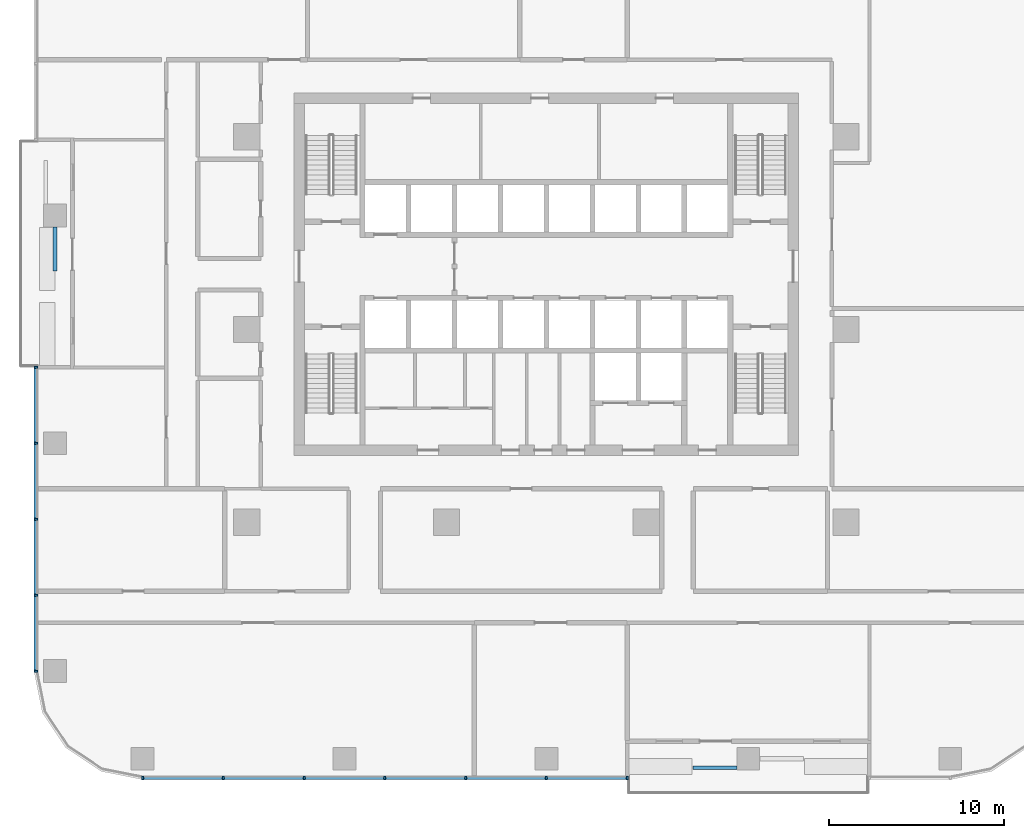
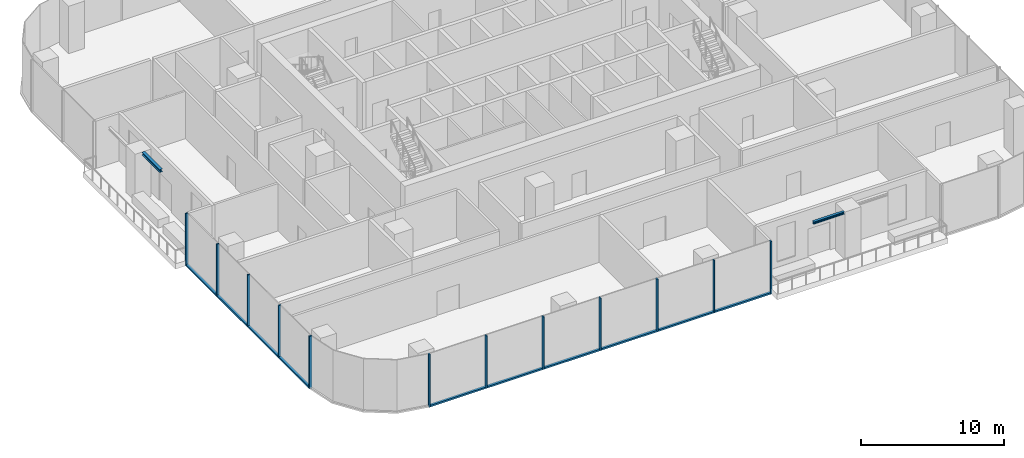
# One storey, part 2 of 15: 22 members, 2 beams, 2 elements without a shape of their own.
"""IFC4 building model written with IfcOpenShell, lengths in metres."""

from ifc_helpers import new_model, si_unit, direction, frame, origin, origin_2d, place, context, subcontext, project, spatial, rectangle, i_section, extrude, material, material_profile, profile_set, type_object, element, aggregate, save


model = new_model("IFC4")

# Units and contexts
model_context = context("Model", 3, precision=1e-05, world=origin(), true_north=direction((0.0, 1.0)))
body_context = subcontext(model_context, "Body", "Model", "MODEL_VIEW")
ifc_project = project(units=[si_unit("LENGTHUNIT", "METRE"), si_unit("AREAUNIT", "SQUARE_METRE"), si_unit("VOLUMEUNIT", "CUBIC_METRE"), si_unit("PLANEANGLEUNIT", "RADIAN"), si_unit("MASSUNIT", "GRAM", prefix="KILO")], contexts=[model_context])

# Site, building, storey
site_placement = place(None, origin())
site = spatial("IfcSite", under=ifc_project, at=site_placement, CompositionType="ELEMENT")
building_placement = place(site_placement, origin())
building = spatial("IfcBuilding", under=site, at=building_placement, Name="Mopane Tessera Tower", CompositionType="ELEMENT")
storey_placement = place(building_placement, frame((0.0, 0.0, 112.60009765625)))
storey = spatial("IfcBuildingStorey", under=building, at=storey_placement, Name="L22", CompositionType="ELEMENT", Elevation=112.60009765625)

# Curtain wall, members
ifc_material_1 = material(Name="Aluminium frame", Category="aluminium")
curtain_wall_type = type_object("IfcCurtainWallType", Name="Lower tower unitised wall", PredefinedType="NOTDEFINED", material=ifc_material_1)
curtain_wall_1_placement = place(storey_placement, origin())
curtain_wall_1 = element("IfcCurtainWall", 1, at=curtain_wall_1_placement, inside=storey, type_object=curtain_wall_type, Name="e:cw:L22:S:0", PredefinedType="NOTDEFINED")
ifc_material_2 = material(Name="Aluminium frame", Category="aluminium")
ifc_material_profile_1 = material_profile(ifc_material_2, rectangle(XDim=0.110107421875, YDim=0.199951171875, at=origin_2d()))
ifc_profile_set_1 = profile_set([ifc_material_profile_1], Name="Aluminium frame")
member_type_1 = type_object("IfcMemberType", Name="Aluminium mullion 110 x 200", PredefinedType="MULLION", material=ifc_profile_set_1)
member_1_placement = place(storey_placement, frame((-23.050048828125, -25.60009765625, -0.4501953125), z_axis=(0.0, 0.0, 1.0), x_axis=(1.0, 0.0, 0.0)))
member_1 = element("IfcMember", 2, at=member_1_placement, type_object=member_type_1, Name="e:cw:L22:S:0:mu0", PredefinedType="MULLION", context=body_context, shape_type="SweptSolid", body=[
    extrude(rectangle(XDim=0.110107421875, YDim=0.199951171875, at=origin_2d()), origin(), (0.0, 0.0, 1.0), 4.5),
])
member_2_placement = place(storey_placement, frame((-18.43994140625, -25.60009765625, -0.4501953125), z_axis=(0.0, 0.0, 1.0), x_axis=(1.0, 0.0, 0.0)))
member_2 = element("IfcMember", 3, at=member_2_placement, type_object=member_type_1, Name="e:cw:L22:S:0:mu1", PredefinedType="MULLION", context=body_context, shape_type="SweptSolid", body=[
    extrude(rectangle(XDim=0.110107421875, YDim=0.199951171875, at=origin_2d()), origin(), (0.0, 0.0, 1.0), 4.5),
])
member_3_placement = place(storey_placement, frame((-13.830078125, -25.60009765625, -0.4501953125), z_axis=(0.0, 0.0, 1.0), x_axis=(1.0, 0.0, 0.0)))
member_3 = element("IfcMember", 4, at=member_3_placement, type_object=member_type_1, Name="e:cw:L22:S:0:mu2", PredefinedType="MULLION", context=body_context, shape_type="SweptSolid", body=[
    extrude(rectangle(XDim=0.110107421875, YDim=0.199951171875, at=origin_2d()), origin(), (0.0, 0.0, 1.0), 4.5),
])
member_4_placement = place(storey_placement, frame((-9.219970703125, -25.60009765625, -0.4501953125), z_axis=(0.0, 0.0, 1.0), x_axis=(1.0, 0.0, 0.0)))
member_4 = element("IfcMember", 5, at=member_4_placement, type_object=member_type_1, Name="e:cw:L22:S:0:mu3", PredefinedType="MULLION", context=body_context, shape_type="SweptSolid", body=[
    extrude(rectangle(XDim=0.110107421875, YDim=0.199951171875, at=origin_2d()), origin(), (0.0, 0.0, 1.0), 4.5),
])
member_5_placement = place(storey_placement, frame((-4.610107421875, -25.60009765625, -0.4501953125), z_axis=(0.0, 0.0, 1.0), x_axis=(1.0, 0.0, 0.0)))
member_5 = element("IfcMember", 6, at=member_5_placement, type_object=member_type_1, Name="e:cw:L22:S:0:mu4", PredefinedType="MULLION", context=body_context, shape_type="SweptSolid", body=[
    extrude(rectangle(XDim=0.110107421875, YDim=0.199951171875, at=origin_2d()), origin(), (0.0, 0.0, 1.0), 4.5),
])
member_6_placement = place(storey_placement, frame((0.0, -25.60009765625, -0.4501953125), z_axis=(0.0, 0.0, 1.0), x_axis=(1.0, 0.0, 0.0)))
member_6 = element("IfcMember", 7, at=member_6_placement, type_object=member_type_1, Name="e:cw:L22:S:0:mu5", PredefinedType="MULLION", context=body_context, shape_type="SweptSolid", body=[
    extrude(rectangle(XDim=0.110107421875, YDim=0.199951171875, at=origin_2d()), origin(), (0.0, 0.0, 1.0), 4.5),
])
member_7_placement = place(storey_placement, frame((4.610107421875, -25.60009765625, -0.4501953125), z_axis=(0.0, 0.0, 1.0), x_axis=(1.0, 0.0, 0.0)))
member_7 = element("IfcMember", 8, at=member_7_placement, type_object=member_type_1, Name="e:cw:L22:S:0:mu6", PredefinedType="MULLION", context=body_context, shape_type="SweptSolid", body=[
    extrude(rectangle(XDim=0.110107421875, YDim=0.199951171875, at=origin_2d()), origin(), (0.0, 0.0, 1.0), 4.5),
])

curtain_wall_2_placement = place(storey_placement, origin())
curtain_wall_2 = element("IfcCurtainWall", 9, at=curtain_wall_2_placement, inside=storey, type_object=curtain_wall_type, Name="e:cw:L22:W:5", PredefinedType="NOTDEFINED")
member_8_placement = place(storey_placement, frame((-29.14990234375, -2.166748046875, -0.4501953125), z_axis=(0.0, 0.0, 1.0), x_axis=(0.0, -1.0, 0.0)))
member_8 = element("IfcMember", 10, at=member_8_placement, type_object=member_type_1, Name="e:cw:L22:W:5:mu5", PredefinedType="MULLION", context=body_context, shape_type="SweptSolid", body=[
    extrude(rectangle(XDim=0.110107421875, YDim=0.199951171875, at=origin_2d()), origin(), (0.0, 0.0, 1.0), 4.5),
])
member_9_placement = place(storey_placement, frame((-29.14990234375, -6.5, -0.4501953125), z_axis=(0.0, 0.0, 1.0), x_axis=(0.0, -1.0, 0.0)))
member_9 = element("IfcMember", 11, at=member_9_placement, type_object=member_type_1, Name="e:cw:L22:W:5:mu6", PredefinedType="MULLION", context=body_context, shape_type="SweptSolid", body=[
    extrude(rectangle(XDim=0.110107421875, YDim=0.199951171875, at=origin_2d()), origin(), (0.0, 0.0, 1.0), 4.5),
])
member_10_placement = place(storey_placement, frame((-29.14990234375, -10.833251953125, -0.4501953125), z_axis=(0.0, 0.0, 1.0), x_axis=(0.0, -1.0, 0.0)))
member_10 = element("IfcMember", 12, at=member_10_placement, type_object=member_type_1, Name="e:cw:L22:W:5:mu7", PredefinedType="MULLION", context=body_context, shape_type="SweptSolid", body=[
    extrude(rectangle(XDim=0.110107421875, YDim=0.199951171875, at=origin_2d()), origin(), (0.0, 0.0, 1.0), 4.5),
])
member_11_placement = place(storey_placement, frame((-29.14990234375, -15.166748046875, -0.4501953125), z_axis=(0.0, 0.0, 1.0), x_axis=(0.0, -1.0, 0.0)))
member_11 = element("IfcMember", 13, at=member_11_placement, type_object=member_type_1, Name="e:cw:L22:W:5:mu8", PredefinedType="MULLION", context=body_context, shape_type="SweptSolid", body=[
    extrude(rectangle(XDim=0.110107421875, YDim=0.199951171875, at=origin_2d()), origin(), (0.0, 0.0, 1.0), 4.5),
])
member_12_placement = place(storey_placement, frame((-29.14990234375, -19.5, -0.4501953125), z_axis=(0.0, 0.0, 1.0), x_axis=(0.0, -1.0, 0.0)))
member_12 = element("IfcMember", 14, at=member_12_placement, type_object=member_type_1, Name="e:cw:L22:W:5:mu9", PredefinedType="MULLION", context=body_context, shape_type="SweptSolid", body=[
    extrude(rectangle(XDim=0.110107421875, YDim=0.199951171875, at=origin_2d()), origin(), (0.0, 0.0, 1.0), 4.5),
])

# Member
ifc_material_3 = material(Name="Aluminium frame", Category="aluminium")
ifc_material_profile_2 = material_profile(ifc_material_3, rectangle(XDim=0.199951171875, YDim=0.139892578125, at=origin_2d()))
ifc_profile_set_2 = profile_set([ifc_material_profile_2], Name="Aluminium frame")
member_type_2 = type_object("IfcMemberType", Name="Aluminium transom 200 x 140", PredefinedType="USERDEFINED", material=ifc_profile_set_2)
member_13_placement = place(storey_placement, frame((-22.9951171875, -25.60009765625, -0.380126953125), z_axis=(1.0, 0.0, 0.0), x_axis=(0.0, 1.0, 0.0)))
member_13 = element("IfcMember", 15, at=member_13_placement, type_object=member_type_2, Name="e:cw:L22:S:0:tr0", ObjectType="TRANSOM", PredefinedType="USERDEFINED", context=body_context, shape_type="SweptSolid", body=[
    extrude(rectangle(XDim=0.199951171875, YDim=0.139892578125, at=origin_2d()), origin(), (0.0, 0.0, 1.0), 4.5),
])

member_14_placement = place(storey_placement, frame((-18.385009765625, -25.60009765625, -0.380126953125), z_axis=(1.0, 0.0, 0.0), x_axis=(0.0, 1.0, 0.0)))
member_14 = element("IfcMember", 16, at=member_14_placement, type_object=member_type_2, Name="e:cw:L22:S:0:tr1", ObjectType="TRANSOM", PredefinedType="USERDEFINED", context=body_context, shape_type="SweptSolid", body=[
    extrude(rectangle(XDim=0.199951171875, YDim=0.139892578125, at=origin_2d()), origin(), (0.0, 0.0, 1.0), 4.5),
])

member_15_placement = place(storey_placement, frame((-13.77490234375, -25.60009765625, -0.380126953125), z_axis=(1.0, 0.0, 0.0), x_axis=(0.0, 1.0, 0.0)))
member_15 = element("IfcMember", 17, at=member_15_placement, type_object=member_type_2, Name="e:cw:L22:S:0:tr2", ObjectType="TRANSOM", PredefinedType="USERDEFINED", context=body_context, shape_type="SweptSolid", body=[
    extrude(rectangle(XDim=0.199951171875, YDim=0.139892578125, at=origin_2d()), origin(), (0.0, 0.0, 1.0), 4.5),
])

member_16_placement = place(storey_placement, frame((-9.1650390625, -25.60009765625, -0.380126953125), z_axis=(1.0, 0.0, 0.0), x_axis=(0.0, 1.0, 0.0)))
member_16 = element("IfcMember", 18, at=member_16_placement, type_object=member_type_2, Name="e:cw:L22:S:0:tr3", ObjectType="TRANSOM", PredefinedType="USERDEFINED", context=body_context, shape_type="SweptSolid", body=[
    extrude(rectangle(XDim=0.199951171875, YDim=0.139892578125, at=origin_2d()), origin(), (0.0, 0.0, 1.0), 4.5),
])

member_17_placement = place(storey_placement, frame((-4.554931640625, -25.60009765625, -0.380126953125), z_axis=(1.0, 0.0, 0.0), x_axis=(0.0, 1.0, 0.0)))
member_17 = element("IfcMember", 19, at=member_17_placement, type_object=member_type_2, Name="e:cw:L22:S:0:tr4", ObjectType="TRANSOM", PredefinedType="USERDEFINED", context=body_context, shape_type="SweptSolid", body=[
    extrude(rectangle(XDim=0.199951171875, YDim=0.139892578125, at=origin_2d()), origin(), (0.0, 0.0, 1.0), 4.5),
])

member_18_placement = place(storey_placement, frame((0.054931640625, -25.60009765625, -0.380126953125), z_axis=(1.0, 0.0, 0.0), x_axis=(0.0, 1.0, 0.0)))
member_18 = element("IfcMember", 20, at=member_18_placement, type_object=member_type_2, Name="e:cw:L22:S:0:tr5", ObjectType="TRANSOM", PredefinedType="USERDEFINED", context=body_context, shape_type="SweptSolid", body=[
    extrude(rectangle(XDim=0.199951171875, YDim=0.139892578125, at=origin_2d()), origin(), (0.0, 0.0, 1.0), 4.5),
])

aggregate(curtain_wall_1, [member_1, member_2, member_3, member_4, member_5, member_6, member_7, member_13, member_14, member_15, member_16, member_17, member_18])

member_19_placement = place(storey_placement, frame((-29.14990234375, -2.2216796875, -0.380126953125), z_axis=(0.0, -1.0, 0.0), x_axis=(1.0, 0.0, 0.0)))
member_19 = element("IfcMember", 21, at=member_19_placement, type_object=member_type_2, Name="e:cw:L22:W:5:tr5", ObjectType="TRANSOM", PredefinedType="USERDEFINED", context=body_context, shape_type="SweptSolid", body=[
    extrude(rectangle(XDim=0.199951171875, YDim=0.139892578125, at=origin_2d()), origin(), (0.0, 0.0, 1.0), 4.223388671875),
])

member_20_placement = place(storey_placement, frame((-29.14990234375, -6.554931640625, -0.380126953125), z_axis=(0.0, -1.0, 0.0), x_axis=(1.0, 0.0, 0.0)))
member_20 = element("IfcMember", 22, at=member_20_placement, type_object=member_type_2, Name="e:cw:L22:W:5:tr6", ObjectType="TRANSOM", PredefinedType="USERDEFINED", context=body_context, shape_type="SweptSolid", body=[
    extrude(rectangle(XDim=0.199951171875, YDim=0.139892578125, at=origin_2d()), origin(), (0.0, 0.0, 1.0), 4.223388671875),
])

member_21_placement = place(storey_placement, frame((-29.14990234375, -10.888427734375, -0.380126953125), z_axis=(0.0, -1.0, 0.0), x_axis=(1.0, 0.0, 0.0)))
member_21 = element("IfcMember", 23, at=member_21_placement, type_object=member_type_2, Name="e:cw:L22:W:5:tr7", ObjectType="TRANSOM", PredefinedType="USERDEFINED", context=body_context, shape_type="SweptSolid", body=[
    extrude(rectangle(XDim=0.199951171875, YDim=0.139892578125, at=origin_2d()), origin(), (0.0, 0.0, 1.0), 4.22314453125),
])

member_22_placement = place(storey_placement, frame((-29.14990234375, -15.2216796875, -0.380126953125), z_axis=(0.0, -1.0, 0.0), x_axis=(1.0, 0.0, 0.0)))
member_22 = element("IfcMember", 24, at=member_22_placement, type_object=member_type_2, Name="e:cw:L22:W:5:tr8", ObjectType="TRANSOM", PredefinedType="USERDEFINED", context=body_context, shape_type="SweptSolid", body=[
    extrude(rectangle(XDim=0.199951171875, YDim=0.139892578125, at=origin_2d()), origin(), (0.0, 0.0, 1.0), 4.223388671875),
])

aggregate(curtain_wall_2, [member_8, member_9, member_10, member_11, member_12, member_19, member_20, member_21, member_22])

# Beams
ifc_material_4 = material(Name="Structural steel S460", Category="steel")
ifc_material_profile_3 = material_profile(ifc_material_4, i_section(OverallWidth=0.239990234375, OverallDepth=0.239990234375, WebThickness=0.010009765625, FlangeThickness=0.01708984375, FilletRadius=0.02099609375, at=origin_2d()))
ifc_profile_set_3 = profile_set([ifc_material_profile_3], Name="Structural steel S460")
beam_type_1 = type_object("IfcBeamType", Name="Terrace spandrel beam HE 240 B", PredefinedType="SPANDREL", material=ifc_profile_set_3)
beam_1_placement = place(storey_placement, frame((-28.050048828125, 5.846923828125, 3.929931640625), z_axis=(0.0, -1.0, 0.0), x_axis=(1.0, 0.0, 0.0)))
element("IfcBeam", 25, at=beam_1_placement, inside=storey, type_object=beam_type_1, Name="Terrace spandrel beam N2 L23", PredefinedType="SPANDREL", context=body_context, shape_type="SweptSolid", body=[
    extrude(i_section(OverallWidth=0.239990234375, OverallDepth=0.239990234375, WebThickness=0.010009765625, FlangeThickness=0.01708984375, FilletRadius=0.02099609375, at=origin_2d()), origin(), (0.0, 0.0, 1.0), 2.5),
])
ifc_material_5 = material(Name="Structural steel S460", Category="steel")
ifc_material_profile_4 = material_profile(ifc_material_5, i_section(OverallWidth=0.199951171875, OverallDepth=0.199951171875, WebThickness=0.009033203125, FlangeThickness=0.014892578125, FilletRadius=0.01806640625, at=origin_2d()))
ifc_profile_set_4 = profile_set([ifc_material_profile_4], Name="Structural steel S460")
beam_type_2 = type_object("IfcBeamType", Name="Terrace trimmer beam HE 200 B", PredefinedType="BEAM", material=ifc_profile_set_4)
beam_2_placement = place(storey_placement, frame((10.871826171875, -25.02001953125, 3.949951171875), z_axis=(-1.0, 0.0, 0.0), x_axis=(0.0, -1.0, 0.0)))
element("IfcBeam", 26, at=beam_2_placement, inside=storey, type_object=beam_type_2, Name="Terrace trimmer beam N3 L23", PredefinedType="BEAM", context=body_context, shape_type="SweptSolid", body=[
    extrude(i_section(OverallWidth=0.199951171875, OverallDepth=0.199951171875, WebThickness=0.009033203125, FlangeThickness=0.014892578125, FilletRadius=0.01806640625, at=origin_2d()), origin(), (0.0, 0.0, 1.0), 2.5),
])

save(model, "model.ifc")
